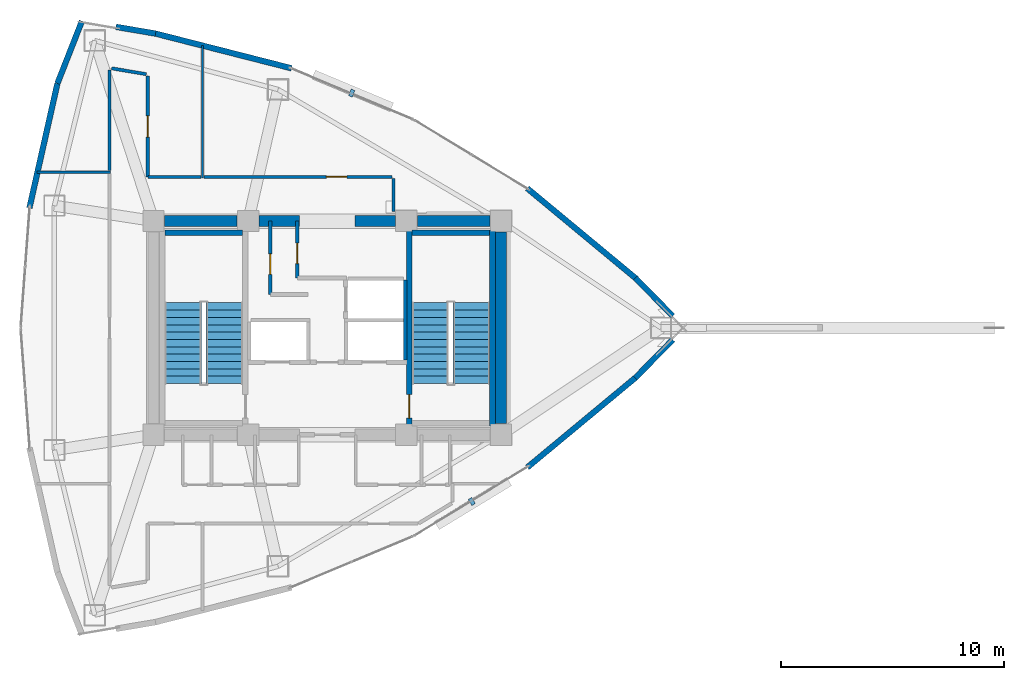
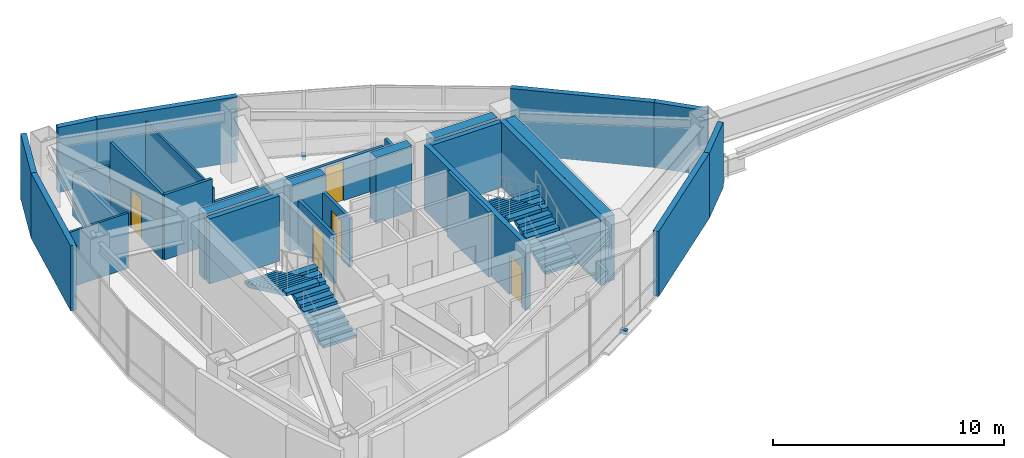
# One storey, part 13 of 15: 28 walls, 5 doors, 4 stair flights, 2 discrete accessories, 5 openings, 2 elements without a shape of their own.
"""IFC4 building model written with IfcOpenShell, lengths in metres."""

from ifc_helpers import new_model, si_unit, direction, frame, frame_2d, origin, origin_2d, place, context, subcontext, project, spatial, polyline, rectangle, outline, extrude, material, layer, layer_set, type_object, element, fill, aggregate, save


model = new_model("IFC4")

# Units and contexts
model_context = context("Model", 3, precision=1e-05, world=origin(), true_north=direction((0.0, 1.0)))
body_context = subcontext(model_context, "Body", "Model", "MODEL_VIEW")
ifc_project = project(units=[si_unit("LENGTHUNIT", "METRE"), si_unit("AREAUNIT", "SQUARE_METRE"), si_unit("VOLUMEUNIT", "CUBIC_METRE"), si_unit("PLANEANGLEUNIT", "RADIAN"), si_unit("MASSUNIT", "GRAM", prefix="KILO")], contexts=[model_context])

# Site, building, storey
site_placement = place(None, origin())
site = spatial("IfcSite", under=ifc_project, at=site_placement, CompositionType="ELEMENT")
building_placement = place(site_placement, origin())
building = spatial("IfcBuilding", under=site, at=building_placement, Name="Menara Vayukalpa", CompositionType="ELEMENT")
storey_placement = place(building_placement, frame((0.0, 0.0, 230.699951171875)))
storey = spatial("IfcBuildingStorey", under=building, at=storey_placement, Name="L58", CompositionType="ELEMENT", Elevation=230.699951171875)

# Walls
ifc_material_1 = material(Name="Concrete C60/75", Category="concrete")
ifc_layer_1 = layer(ifc_material_1, 0.5)
ifc_layer_set_1 = layer_set([ifc_layer_1], Name="Concrete C60/75")
wall_type_1 = type_object("IfcWallType", Name="WAL-CW500", PredefinedType="SHEAR", material=ifc_layer_set_1)
wall_1_placement = place(storey_placement, frame((18.294921875, 26.800048828125, 0.0), z_axis=(0.0, 0.0, 1.0), x_axis=(1.0, 0.0, 0.0)))
element("IfcWall", 1, at=wall_1_placement, inside=storey, type_object=wall_type_1, Name="L58 Buttressed Core Shear Wall CWN1", PredefinedType="SHEAR", context=body_context, shape_type="SweptSolid", body=[
    extrude(rectangle(XDim=3.260009765625, YDim=0.5, at=frame_2d((1.6298828125, 0.0))), origin(), (0.0, 0.0, 1.0), 3.43994140625),
])
wall_2_placement = place(storey_placement, frame((22.544921875, 26.800048828125, 0.0), z_axis=(0.0, 0.0, 1.0), x_axis=(1.0, 0.0, 0.0)))
element("IfcWall", 2, at=wall_2_placement, inside=storey, type_object=wall_type_1, Name="L58 Buttressed Core Shear Wall CWN2", PredefinedType="SHEAR", context=body_context, shape_type="SweptSolid", body=[
    extrude(rectangle(XDim=1.80517578125, YDim=0.5, at=frame_2d((0.902587890625, 0.0))), origin(), (0.0, 0.0, 1.0), 3.43994140625),
])
wall_3_placement = place(storey_placement, frame((26.85009765625, 26.800048828125, 0.0), z_axis=(0.0, 0.0, 1.0), x_axis=(1.0, 0.0, 0.0)))
element("IfcWall", 3, at=wall_3_placement, inside=storey, type_object=wall_type_1, Name="L58 Buttressed Core Shear Wall CWN3", PredefinedType="SHEAR", context=body_context, shape_type="SweptSolid", body=[
    extrude(rectangle(XDim=1.804931640625, YDim=0.5, at=frame_2d((0.90234375, 0.0))), origin(), (0.0, 0.0, 1.0), 3.43994140625),
])
wall_4_placement = place(storey_placement, frame((29.64501953125, 26.800048828125, 0.0), z_axis=(0.0, 0.0, 1.0), x_axis=(1.0, 0.0, 0.0)))
element("IfcWall", 4, at=wall_4_placement, inside=storey, type_object=wall_type_1, Name="L58 Buttressed Core Shear Wall CWN4", PredefinedType="SHEAR", context=body_context, shape_type="SweptSolid", body=[
    extrude(rectangle(XDim=3.260009765625, YDim=0.5, at=frame_2d((1.6298828125, 0.0))), origin(), (0.0, 0.0, 1.0), 3.43994140625),
])
wall_5_placement = place(storey_placement, frame((33.39990234375, 17.695068359375, 0.0), z_axis=(0.0, 0.0, 1.0), x_axis=(0.0, 1.0, 0.0)))
element("IfcWall", 5, at=wall_5_placement, inside=storey, type_object=wall_type_1, Name="L58 Buttressed Core Shear Wall CWE1", PredefinedType="SHEAR", context=body_context, shape_type="SweptSolid", body=[
    extrude(rectangle(XDim=8.60986328125, YDim=0.5, at=frame_2d((4.304931640625, 0.0))), origin(), (0.0, 0.0, 1.0), 3.43994140625),
])
ifc_material_2 = material(Name="Insulated Precast Concrete C40/50", Category="concrete")
ifc_layer_2 = layer(ifc_material_2, 0.260009765625)
ifc_layer_set_2 = layer_set([ifc_layer_2], Name="Insulated Precast Concrete C40/50")
wall_type_2 = type_object("IfcWallType", Name="WAL-EXT260", PredefinedType="PARTITIONING", material=ifc_layer_set_2)
for number, where, z_axis, x_axis, name in (
    (6, (41.11669921875, 21.466552734375, 0.0), (0.0, 0.0, 1.0), (-0.700567481584, -0.7135861572, 0.0), "L58 Perimeter Terracotta Pier Wall 01"),
    (7, (39.43505859375, 24.246337890625, 0.0), (0.0, 0.0, 1.0), (0.700567481584, -0.7135861572, 0.0), "L58 Perimeter Terracotta Pier Wall 02"),
):
    element("IfcWall", number, at=place(storey_placement, frame(where, z_axis=z_axis, x_axis=x_axis)), inside=storey, type_object=wall_type_2, Name=name, PredefinedType="PARTITIONING", context=body_context, shape_type="SweptSolid", body=[
        extrude(rectangle(XDim=2.400390625, YDim=0.260009765625, at=frame_2d((1.2001953125, 0.0))), origin(), (0.0, 0.0, 1.0), 3.43994140625),
    ])
wall_6_placement = place(storey_placement, frame((34.58251953125, 28.26953125, 0.0), z_axis=(0.0, 0.0, 1.0), x_axis=(0.769765373155, -0.638326930571, 0.0)))
element("IfcWall", 8, at=wall_6_placement, inside=storey, type_object=wall_type_2, Name="L58 Perimeter Terracotta Pier Wall 03", PredefinedType="PARTITIONING", context=body_context, shape_type="SweptSolid", body=[
    extrude(rectangle(XDim=6.3154296875, YDim=0.260009765625, at=frame_2d((3.15771484375, 0.0))), origin(), (0.0, 0.0, 1.0), 3.43994140625),
])
wall_7_placement = place(storey_placement, frame((17.8759765625, 35.22216796875, 0.0), z_axis=(0.0, 0.0, 1.0), x_axis=(0.968976240439, -0.247153890246, 0.0)))
element("IfcWall", 9, at=wall_7_placement, inside=storey, type_object=wall_type_2, Name="L58 Perimeter Terracotta Pier Wall 06", PredefinedType="PARTITIONING", context=body_context, shape_type="SweptSolid", body=[
    extrude(rectangle(XDim=6.31494140625, YDim=0.260009765625, at=frame_2d((3.157470703125, 0.0))), origin(), (0.0, 0.0, 1.0), 3.43994140625),
])
wall_8_placement = place(storey_placement, frame((16.10693359375, 35.52197265625, 0.0), z_axis=(0.0, 0.0, 1.0), x_axis=(0.985877723898, -0.167466753484, 0.0)))
element("IfcWall", 10, at=wall_8_placement, inside=storey, type_object=wall_type_2, Name="L58 Perimeter Terracotta Pier Wall 07", PredefinedType="PARTITIONING", context=body_context, shape_type="SweptSolid", body=[
    extrude(rectangle(XDim=1.80615234375, YDim=0.260009765625, at=frame_2d((0.903076171875, 0.0))), origin(), (0.0, 0.0, 1.0), 3.43994140625),
])
wall_9_placement = place(storey_placement, frame((13.47900390625, 32.978515625, 0.0), z_axis=(0.0, 0.0, 1.0), x_axis=(0.365609724313, 0.930768246927, 0.0)))
element("IfcWall", 11, at=wall_9_placement, inside=storey, type_object=wall_type_2, Name="L58 Perimeter Terracotta Pier Wall 08", PredefinedType="PARTITIONING", context=body_context, shape_type="SweptSolid", body=[
    extrude(rectangle(XDim=3.010986328125, YDim=0.260009765625, at=frame_2d((1.50537109375, 0.0))), origin(), (0.0, 0.0, 1.0), 3.43994140625),
])
wall_10_placement = place(storey_placement, frame((12.219970703125, 27.3818359375, 0.0), z_axis=(0.0, 0.0, 1.0), x_axis=(0.219475737697, 0.975617958303, 0.0)))
element("IfcWall", 12, at=wall_10_placement, inside=storey, type_object=wall_type_2, Name="L58 Perimeter Terracotta Pier Wall 09", PredefinedType="PARTITIONING", context=body_context, shape_type="SweptSolid", body=[
    extrude(rectangle(XDim=5.736572265625, YDim=0.260009765625, at=frame_2d((2.8681640625, 0.0))), origin(), (0.0, 0.0, 1.0), 3.43994140625),
])
wall_11_placement = place(storey_placement, frame((39.44384765625, 19.76171875, 0.0), z_axis=(0.0, 0.0, 1.0), x_axis=(-0.769765373155, -0.638326930571, 0.0)))
element("IfcWall", 13, at=wall_11_placement, inside=storey, type_object=wall_type_2, Name="L58 Perimeter Terracotta Pier Wall 18", PredefinedType="PARTITIONING", context=body_context, shape_type="SweptSolid", body=[
    extrude(rectangle(XDim=6.3154296875, YDim=0.260009765625, at=frame_2d((3.15771484375, 0.0))), origin(), (0.0, 0.0, 1.0), 3.43994140625),
])
ifc_material_3 = material(Name="Lightweight Concrete Blockwork C16/20", Category="masonry")
ifc_layer_3 = layer(ifc_material_3, 0.159912109375)
ifc_layer_set_3 = layer_set([ifc_layer_3], Name="Lightweight Concrete Blockwork C16/20")
wall_type_3 = type_object("IfcWallType", Name="WAL-FR150", PredefinedType="PARTITIONING", material=ifc_layer_set_3)
wall_12_placement = place(storey_placement, frame((29.094970703125, 20.56005859375, 0.0), z_axis=(0.0, 0.0, 1.0), x_axis=(0.0, 1.0, 0.0)))
element("IfcWall", 14, at=wall_12_placement, inside=storey, type_object=wall_type_3, Name="L58 Interior Partition IW-L58-SHW-EE", PredefinedType="PARTITIONING", context=body_context, shape_type="SweptSolid", body=[
    extrude(rectangle(XDim=3.579833984375, YDim=0.159912109375, at=frame_2d((1.7900390625, 0.0))), origin(), (0.0, 0.0, 1.0), 3.43994140625),
])

# Wall, opening, door
wall_13_placement = place(storey_placement, frame((23.0400390625, 23.5, 0.0), z_axis=(0.0, 0.0, 1.0), x_axis=(0.0, 1.0, 0.0)))
wall_13 = element("IfcWall", 15, at=wall_13_placement, inside=storey, type_object=wall_type_3, Name="L58 Interior Partition IW-L58-LV7WB", PredefinedType="PARTITIONING", context=body_context, shape_type="SweptSolid", body=[
    extrude(rectangle(XDim=3.300048828125, YDim=0.159912109375, at=frame_2d((1.64990234375, 0.0))), origin(), (0.0, 0.0, 1.0), 2.570068359375),
])
opening_1_placement = place(wall_13_placement, frame((0.89990234375, 0.0, 0.0)))
opening_1 = element("IfcOpeningElement", 16, at=opening_1_placement, cuts=wall_13, Name="Opening ID6", PredefinedType="OPENING", context=body_context, shape_type="SweptSolid", body=[
    extrude(rectangle(XDim=0.919921875, YDim=2.050048828125, at=frame_2d((0.4599609375, 1.02490234375))), frame((0.0, 0.08984375, 0.0), z_axis=(0.0, -1.0, 0.0), x_axis=(1.0, 0.0, 0.0)), (0.0, 0.0, 1.0), 0.179931640625),
])
ifc_material_4 = material(Name="Acoustic Hardwood Veneer Timber Door", Category="wood")
door_type_1 = type_object("IfcDoorType", Name="DR-INT92", OperationType="NOTDEFINED", PredefinedType="DOOR", material=ifc_material_4)
door_1_placement = place(opening_1_placement, origin())
door_1 = element("IfcDoor", 17, at=door_1_placement, inside=storey, type_object=door_type_1, Name="L58 Interior Door DR-L58-LV7W", OperationType="SINGLE_SWING_LEFT", OverallHeight=2.050048828125, OverallWidth=0.919921875, PredefinedType="DOOR", context=body_context, shape_type="SweptSolid", body=[
    extrude(rectangle(XDim=0.919921875, YDim=2.050048828125, at=frame_2d((0.4599609375, 1.02490234375))), frame((0.0, 0.02490234375, 0.0), z_axis=(0.0, -1.0, 0.0), x_axis=(1.0, 0.0, 0.0)), (0.0, 0.0, 1.0), 0.050048828125),
])
fill(opening_1, door_1)

wall_14_placement = place(storey_placement, frame((24.260009765625, 24.239990234375, 0.0), z_axis=(0.0, 0.0, 1.0), x_axis=(0.0, 1.0, 0.0)))
wall_14 = element("IfcWall", 18, at=wall_14_placement, inside=storey, type_object=wall_type_3, Name="L58 Interior Partition IW-L58-LV7EB", PredefinedType="PARTITIONING", context=body_context, shape_type="SweptSolid", body=[
    extrude(rectangle(XDim=2.56005859375, YDim=0.159912109375, at=frame_2d((1.280029296875, 0.0))), origin(), (0.0, 0.0, 1.0), 2.570068359375),
])
opening_2_placement = place(wall_14_placement, frame((0.64990234375, 0.0, 0.0)))
opening_2 = element("IfcOpeningElement", 19, at=opening_2_placement, cuts=wall_14, Name="Opening ID6", PredefinedType="OPENING", context=body_context, shape_type="SweptSolid", body=[
    extrude(rectangle(XDim=0.919921875, YDim=2.050048828125, at=frame_2d((0.4599609375, 1.02490234375))), frame((0.0, 0.08984375, 0.0), z_axis=(0.0, -1.0, 0.0), x_axis=(1.0, 0.0, 0.0)), (0.0, 0.0, 1.0), 0.179931640625),
])
door_2_placement = place(opening_2_placement, origin())
door_2 = element("IfcDoor", 20, at=door_2_placement, inside=storey, type_object=door_type_1, Name="L58 Interior Door DR-L58-LV7E", OperationType="SINGLE_SWING_RIGHT", OverallHeight=2.050048828125, OverallWidth=0.919921875, PredefinedType="DOOR", context=body_context, shape_type="SweptSolid", body=[
    extrude(rectangle(XDim=0.919921875, YDim=2.050048828125, at=frame_2d((0.4599609375, 1.02490234375))), frame((0.0, 0.02490234375, 0.0), z_axis=(0.0, -1.0, 0.0), x_axis=(1.0, 0.0, 0.0)), (0.0, 0.0, 1.0), 0.050048828125),
])
fill(opening_2, door_2)

# Walls
ifc_material_5 = material(Name="Glazed Demountable Office Partition", Category="glass")
ifc_layer_4 = layer(ifc_material_5, 0.094970703125)
ifc_layer_set_4 = layer_set([ifc_layer_4], Name="Glazed Demountable Office Partition")
wall_type_4 = type_object("IfcWallType", Name="WAL-PT100", PredefinedType="PARTITIONING", material=ifc_layer_set_4)
wall_15_placement = place(storey_placement, frame((20.0, 28.72998046875, 0.0), z_axis=(0.0, 0.0, 1.0), x_axis=(0.0, 1.0, 0.0)))
element("IfcWall", 21, at=wall_15_placement, inside=storey, type_object=wall_type_4, Name="L58 Interior Partition IW-L58-RDIV02", PredefinedType="PARTITIONING", context=body_context, shape_type="SweptSolid", body=[
    extrude(rectangle(XDim=5.960693359375, YDim=0.094970703125, at=frame_2d((2.98046875, 0.0))), origin(), (0.0, 0.0, 1.0), 2.920166015625),
])
ifc_material_6 = material(Name="Acoustic Mineral Stud Partition", Category="masonry")
ifc_layer_5 = layer(ifc_material_6, 0.110107421875)
ifc_layer_set_5 = layer_set([ifc_layer_5], Name="Acoustic Mineral Stud Partition")
wall_type_5 = type_object("IfcWallType", Name="WAL-PT110", PredefinedType="PARTITIONING", material=ifc_layer_set_5)
wall_16_placement = place(storey_placement, frame((12.57373046875, 29.0, 0.0), z_axis=(0.0, 0.0, 1.0), x_axis=(1.0, 0.0, 0.0)))
element("IfcWall", 22, at=wall_16_placement, inside=storey, type_object=wall_type_5, Name="L58 Interior Partition IW-L58-RDIV05", PredefinedType="PARTITIONING", context=body_context, shape_type="SweptSolid", body=[
    extrude(rectangle(XDim=3.29638671875, YDim=0.110107421875, at=frame_2d((1.648193359375, 0.0))), origin(), (0.0, 0.0, 1.0), 2.920166015625),
])
ifc_material_7 = material(Name="Gypsum Drywall Acoustic Stud Assembly", Category="masonry")
ifc_layer_6 = layer(ifc_material_7, 0.14501953125)
ifc_layer_set_6 = layer_set([ifc_layer_6], Name="Gypsum Drywall Acoustic Stud Assembly")
wall_type_6 = type_object("IfcWallType", Name="WAL-PT150", PredefinedType="PARTITIONING", material=ifc_layer_set_6)
wall_17_placement = place(storey_placement, frame((28.580078125, 27.219970703125, 0.0), z_axis=(0.0, 0.0, 1.0), x_axis=(0.0, 1.0, 0.0)))
element("IfcWall", 23, at=wall_17_placement, inside=storey, type_object=wall_type_6, Name="L58 Interior Partition IW-L58-CRM04-1", PredefinedType="PARTITIONING", context=body_context, shape_type="SweptSolid", body=[
    extrude(rectangle(XDim=1.47998046875, YDim=0.14501953125, at=frame_2d((0.739990234375, 0.0))), origin(), (0.0, 0.0, 1.0), 2.570068359375),
])

# Wall, opening, door
wall_18_placement = place(storey_placement, frame((28.5, 28.780029296875, 0.0), z_axis=(0.0, 0.0, 1.0), x_axis=(-1.0, 0.0, 0.0)))
wall_18 = element("IfcWall", 24, at=wall_18_placement, inside=storey, type_object=wall_type_6, Name="L58 Interior Partition IW-L58-CRM04-2", PredefinedType="PARTITIONING", context=body_context, shape_type="SweptSolid", body=[
    extrude(rectangle(XDim=8.429931640625, YDim=0.14501953125, at=frame_2d((4.21484375, 0.0))), origin(), (0.0, 0.0, 1.0), 2.170166015625),
])
opening_3_placement = place(wall_18_placement, frame((2.017578125, 0.0, 0.0)))
opening_3 = element("IfcOpeningElement", 25, at=opening_3_placement, cuts=wall_18, Name="Opening ID6", PredefinedType="OPENING", context=body_context, shape_type="SweptSolid", body=[
    extrude(rectangle(XDim=0.919921875, YDim=2.050048828125, at=frame_2d((0.4599609375, 1.02490234375))), frame((0.0, 0.08251953125, 0.0), z_axis=(0.0, -1.0, 0.0), x_axis=(1.0, 0.0, 0.0)), (0.0, 0.0, 1.0), 0.1650390625),
])
door_3_placement = place(opening_3_placement, origin())
door_3 = element("IfcDoor", 26, at=door_3_placement, inside=storey, type_object=door_type_1, Name="L58 Interior Door DR-L58-RM04", OperationType="SINGLE_SWING_RIGHT", OverallHeight=2.050048828125, OverallWidth=0.919921875, PredefinedType="DOOR", context=body_context, shape_type="SweptSolid", body=[
    extrude(rectangle(XDim=0.919921875, YDim=2.050048828125, at=frame_2d((0.4599609375, 1.02490234375))), frame((0.0, 0.02490234375, 0.0), z_axis=(0.0, -1.0, 0.0), x_axis=(1.0, 0.0, 0.0)), (0.0, 0.0, 1.0), 0.050048828125),
])
fill(opening_3, door_3)

# Wall
wall_19_placement = place(storey_placement, frame((19.929931640625, 28.780029296875, 0.0), z_axis=(0.0, 0.0, 1.0), x_axis=(-1.0, 0.0, 0.0)))
element("IfcWall", 27, at=wall_19_placement, inside=storey, type_object=wall_type_6, Name="L58 Interior Partition IW-L58-CRM05-1", PredefinedType="PARTITIONING", context=body_context, shape_type="SweptSolid", body=[
    extrude(rectangle(XDim=2.389892578125, YDim=0.14501953125, at=frame_2d((1.19482421875, 0.0))), origin(), (0.0, 0.0, 1.0), 3.43994140625),
])

# Wall, opening, door
wall_20_placement = place(storey_placement, frame((17.5400390625, 28.780029296875, 0.0), z_axis=(0.0, 0.0, 1.0), x_axis=(0.0, 1.0, 0.0)))
wall_20 = element("IfcWall", 28, at=wall_20_placement, inside=storey, type_object=wall_type_6, Name="L58 Interior Partition IW-L58-CRM05-2", PredefinedType="PARTITIONING", context=body_context, shape_type="SweptSolid", body=[
    extrude(rectangle(XDim=4.5341796875, YDim=0.14501953125, at=frame_2d((2.26708984375, 0.0))), origin(), (0.0, 0.0, 1.0), 3.43994140625),
])
opening_4_placement = place(wall_20_placement, frame((1.792236328125, 0.0, 0.0)))
opening_4 = element("IfcOpeningElement", 29, at=opening_4_placement, cuts=wall_20, Name="Opening ID5", PredefinedType="OPENING", context=body_context, shape_type="SweptSolid", body=[
    extrude(rectangle(XDim=0.949951171875, YDim=2.06005859375, at=frame_2d((0.47509765625, 1.030029296875))), frame((0.0, 0.08251953125, 0.0), z_axis=(0.0, -1.0, 0.0), x_axis=(1.0, 0.0, 0.0)), (0.0, 0.0, 1.0), 0.1650390625),
])
ifc_material_8 = material(Name="Acoustic Hardwood Veneer Timber Door", Category="wood")
door_type_2 = type_object("IfcDoorType", Name="DR-INT95", OperationType="NOTDEFINED", PredefinedType="DOOR", material=ifc_material_8)
door_4_placement = place(opening_4_placement, origin())
door_4 = element("IfcDoor", 30, at=door_4_placement, inside=storey, type_object=door_type_2, Name="L58 Interior Door DR-L58-RM05", OperationType="SINGLE_SWING_LEFT", OverallHeight=2.06005859375, OverallWidth=0.949951171875, PredefinedType="DOOR", context=body_context, shape_type="SweptSolid", body=[
    extrude(rectangle(XDim=0.949951171875, YDim=2.06005859375, at=frame_2d((0.47509765625, 1.030029296875))), frame((0.0, 0.02490234375, 0.0), z_axis=(0.0, -1.0, 0.0), x_axis=(1.0, 0.0, 0.0)), (0.0, 0.0, 1.0), 0.050048828125),
])
fill(opening_4, door_4)

# Walls
wall_21_placement = place(storey_placement, frame((17.473388671875, 33.393310546875, 0.0), z_axis=(0.0, 0.0, 1.0), x_axis=(-0.985914419316, 0.167250583809, 0.0)))
element("IfcWall", 31, at=wall_21_placement, inside=storey, type_object=wall_type_6, Name="L58 Interior Partition IW-L58-CRM05-3", PredefinedType="PARTITIONING", context=body_context, shape_type="SweptSolid", body=[
    extrude(rectangle(XDim=1.582275390625, YDim=0.14501953125, at=frame_2d((0.791015625, 0.0))), origin(), (0.0, 0.0, 1.0), 2.170166015625),
])
wall_22_placement = place(storey_placement, frame((15.820068359375, 33.5791015625, 0.0), z_axis=(0.0, 0.0, 1.0), x_axis=(0.0, -1.0, 0.0)))
element("IfcWall", 32, at=wall_22_placement, inside=storey, type_object=wall_type_6, Name="L58 Interior Partition IW-L58-CRM05-4", PredefinedType="PARTITIONING", context=body_context, shape_type="SweptSolid", body=[
    extrude(rectangle(XDim=4.509033203125, YDim=0.14501953125, at=frame_2d((2.25439453125, 0.0))), origin(), (0.0, 0.0, 1.0), 2.170166015625),
])
ifc_material_9 = material(Name="Concrete C50/60", Category="concrete")
ifc_layer_7 = layer(ifc_material_9, 0.25)
ifc_layer_set_7 = layer_set([ifc_layer_7], Name="Concrete C50/60")
wall_type_7 = type_object("IfcWallType", Name="WAL-SW250", PredefinedType="SHEAR", material=ifc_layer_set_7)
wall_23_placement = place(storey_placement, frame((18.303955078125, 26.27490234375, 0.0), z_axis=(0.0, 0.0, 1.0), x_axis=(1.0, 0.0, 0.0)))
element("IfcWall", 33, at=wall_23_placement, inside=storey, type_object=wall_type_7, Name="L58 ST1 Structural Stair Shaft Wall N", PredefinedType="SHEAR", context=body_context, shape_type="SweptSolid", body=[
    extrude(rectangle(XDim=3.49609375, YDim=0.25, at=frame_2d((1.748046875, 0.0))), origin(), (0.0, 0.0, 1.0), 3.43994140625),
])

# Wall, opening, door
wall_24_placement = place(storey_placement, frame((29.27490234375, 17.60009765625, 0.0), z_axis=(0.0, 0.0, 1.0), x_axis=(0.0, 1.0, 0.0)))
wall_24 = element("IfcWall", 34, at=wall_24_placement, inside=storey, type_object=wall_type_7, Name="L58 ST2 Structural Stair Shaft Wall W", PredefinedType="SHEAR", context=body_context, shape_type="SweptSolid", body=[
    extrude(rectangle(XDim=8.7998046875, YDim=0.25, at=frame_2d((4.39990234375, 0.0))), origin(), (0.0, 0.0, 1.0), 3.43994140625),
])
opening_5_placement = place(wall_24_placement, frame((0.35009765625, 0.0, 0.0)))
opening_5 = element("IfcOpeningElement", 35, at=opening_5_placement, cuts=wall_24, Name="Opening ID1", PredefinedType="OPENING", context=body_context, shape_type="SweptSolid", body=[
    extrude(rectangle(XDim=1.050048828125, YDim=2.080078125, at=frame_2d((0.52490234375, 1.0400390625))), frame((0.0, 0.135009765625, 0.0), z_axis=(0.0, -1.0, 0.0), x_axis=(1.0, 0.0, 0.0)), (0.0, 0.0, 1.0), 0.27001953125),
])
ifc_material_10 = material(Name="Fire-Rated Powder-Coated Steel Door", Category="steel")
door_type_3 = type_object("IfcDoorType", Name="DR-FD120", OperationType="NOTDEFINED", PredefinedType="DOOR", material=ifc_material_10)
door_5_placement = place(opening_5_placement, origin())
door_5 = element("IfcDoor", 36, at=door_5_placement, inside=storey, type_object=door_type_3, Name="L58 Stair Exit Door DR-L58-ST2", OperationType="SINGLE_SWING_RIGHT", OverallHeight=2.080078125, OverallWidth=1.050048828125, PredefinedType="DOOR", context=body_context, shape_type="SweptSolid", body=[
    extrude(rectangle(XDim=1.050048828125, YDim=2.080078125, at=frame_2d((0.52490234375, 1.0400390625))), frame((0.0, 0.02490234375, 0.0), z_axis=(0.0, -1.0, 0.0), x_axis=(1.0, 0.0, 0.0)), (0.0, 0.0, 1.0), 0.050048828125),
])
fill(opening_5, door_5)

# Walls
wall_25_placement = place(storey_placement, frame((33.02099609375, 17.60009765625, 0.0), z_axis=(0.0, 0.0, 1.0), x_axis=(0.0, 1.0, 0.0)))
element("IfcWall", 37, at=wall_25_placement, inside=storey, type_object=wall_type_7, Name="L58 ST2 Structural Stair Shaft Wall E", PredefinedType="SHEAR", context=body_context, shape_type="SweptSolid", body=[
    extrude(rectangle(XDim=8.7998046875, YDim=0.25, at=frame_2d((4.39990234375, 0.0))), origin(), (0.0, 0.0, 1.0), 3.43994140625),
])
wall_26_placement = place(storey_placement, frame((29.39990234375, 26.27490234375, 0.0), z_axis=(0.0, 0.0, 1.0), x_axis=(1.0, 0.0, 0.0)))
element("IfcWall", 38, at=wall_26_placement, inside=storey, type_object=wall_type_7, Name="L58 ST2 Structural Stair Shaft Wall N", PredefinedType="SHEAR", context=body_context, shape_type="SweptSolid", body=[
    extrude(rectangle(XDim=3.49609375, YDim=0.25, at=frame_2d((1.748046875, 0.0))), origin(), (0.0, 0.0, 1.0), 3.43994140625),
])

# Stair, stair flights
ifc_material_11 = material(Name="Precast Concrete C40/50", Category="concrete")
stair_type = type_object("IfcStairType", Name="STR-T04", PredefinedType="DOUBLE_RETURN_STAIR", material=ifc_material_11)
stair_1_placement = place(storey_placement, origin())
stair_1 = element("IfcStair", 39, at=stair_1_placement, inside=storey, type_object=stair_type, Name="L58 Core Exit Stair ST-1", PredefinedType="DOUBLE_RETURN_STAIR")
ifc_material_12 = material(Name="Precast Concrete C40/50", Category="concrete")
stair_flight_type = type_object("IfcStairFlightType", Name="STF-T04", PredefinedType="STRAIGHT", material=ifc_material_12)
stair_flight_1_placement = place(storey_placement, frame((20.97509765625, 19.5, 0.0), z_axis=(0.0, 0.0, 1.0), x_axis=(0.0, 1.0, 0.0)))
stair_flight_1 = element("IfcStairFlight", 40, at=stair_flight_1_placement, type_object=stair_flight_type, Name="ST-1 flight 1", NumberOfRisers=12, NumberOfTreads=11, PredefinedType="STRAIGHT", RiserHeight=0.155, TreadLength=0.33, context=body_context, shape_type="SweptSolid", body=[
    extrude(outline(polyline([(0.0, 0.0), (0.0, 0.155029296875), (0.330078125, 0.155029296875), (0.330078125, 0.31005859375), (0.659912109375, 0.31005859375), (0.659912109375, 0.465087890625), (0.989990234375, 0.465087890625), (0.989990234375, 0.6201171875), (1.320068359375, 0.6201171875), (1.320068359375, 0.77490234375), (1.64990234375, 0.77490234375), (1.64990234375, 0.929931640625), (1.97998046875, 0.929931640625), (1.97998046875, 1.0849609375), (2.31005859375, 1.0849609375), (2.31005859375, 1.239990234375), (2.639892578125, 1.239990234375), (2.639892578125, 1.39501953125), (2.969970703125, 1.39501953125), (2.969970703125, 1.550048828125), (3.300048828125, 1.550048828125), (3.300048828125, 1.705078125), (3.6298828125, 1.705078125), (3.6298828125, 1.860107421875), (3.6298828125, 1.539306640625), (0.3525390625, 0.0), (0.0, 0.0)])), frame((0.0, 0.824951171875, 0.0), z_axis=(0.0, -1.0, 0.0), x_axis=(1.0, 0.0, 0.0)), (0.0, 0.0, 1.0), 1.64990234375),
])
stair_flight_2_placement = place(storey_placement, frame((19.125, 23.1298828125, 1.860107421875), z_axis=(0.0, 0.0, 1.0), x_axis=(0.0, -1.0, 0.0)))
stair_flight_2 = element("IfcStairFlight", 41, at=stair_flight_2_placement, type_object=stair_flight_type, Name="ST-1 flight 2", NumberOfRisers=12, NumberOfTreads=11, PredefinedType="STRAIGHT", RiserHeight=0.155, TreadLength=0.33, context=body_context, shape_type="SweptSolid", body=[
    extrude(outline(polyline([(0.0, 0.0), (0.0, 0.155029296875), (0.330078125, 0.155029296875), (0.330078125, 0.31005859375), (0.659912109375, 0.31005859375), (0.659912109375, 0.465087890625), (0.989990234375, 0.465087890625), (0.989990234375, 0.6201171875), (1.320068359375, 0.6201171875), (1.320068359375, 0.77490234375), (1.64990234375, 0.77490234375), (1.64990234375, 0.929931640625), (1.97998046875, 0.929931640625), (1.97998046875, 1.0849609375), (2.31005859375, 1.0849609375), (2.31005859375, 1.239990234375), (2.639892578125, 1.239990234375), (2.639892578125, 1.39501953125), (2.969970703125, 1.39501953125), (2.969970703125, 1.550048828125), (3.300048828125, 1.550048828125), (3.300048828125, 1.705078125), (3.6298828125, 1.705078125), (3.6298828125, 1.860107421875), (3.6298828125, 1.539306640625), (0.3525390625, 0.0), (0.0, 0.0)])), frame((0.0, 0.824951171875, 0.0), z_axis=(0.0, -1.0, 0.0), x_axis=(1.0, 0.0, 0.0)), (0.0, 0.0, 1.0), 1.64990234375),
])
aggregate(stair_1, [stair_flight_1, stair_flight_2])

stair_2_placement = place(storey_placement, origin())
stair_2 = element("IfcStair", 42, at=stair_2_placement, inside=storey, type_object=stair_type, Name="L58 Core Exit Stair ST-2", PredefinedType="DOUBLE_RETURN_STAIR")
stair_flight_3_placement = place(storey_placement, frame((32.074951171875, 19.5, 0.0), z_axis=(0.0, 0.0, 1.0), x_axis=(0.0, 1.0, 0.0)))
stair_flight_3 = element("IfcStairFlight", 43, at=stair_flight_3_placement, type_object=stair_flight_type, Name="ST-2 flight 1", NumberOfRisers=12, NumberOfTreads=11, PredefinedType="STRAIGHT", RiserHeight=0.155, TreadLength=0.33, context=body_context, shape_type="SweptSolid", body=[
    extrude(outline(polyline([(0.0, 0.0), (0.0, 0.155029296875), (0.330078125, 0.155029296875), (0.330078125, 0.31005859375), (0.659912109375, 0.31005859375), (0.659912109375, 0.465087890625), (0.989990234375, 0.465087890625), (0.989990234375, 0.6201171875), (1.320068359375, 0.6201171875), (1.320068359375, 0.77490234375), (1.64990234375, 0.77490234375), (1.64990234375, 0.929931640625), (1.97998046875, 0.929931640625), (1.97998046875, 1.0849609375), (2.31005859375, 1.0849609375), (2.31005859375, 1.239990234375), (2.639892578125, 1.239990234375), (2.639892578125, 1.39501953125), (2.969970703125, 1.39501953125), (2.969970703125, 1.550048828125), (3.300048828125, 1.550048828125), (3.300048828125, 1.705078125), (3.6298828125, 1.705078125), (3.6298828125, 1.860107421875), (3.6298828125, 1.539306640625), (0.3525390625, 0.0), (0.0, 0.0)])), frame((0.0, 0.824951171875, 0.0), z_axis=(0.0, -1.0, 0.0), x_axis=(1.0, 0.0, 0.0)), (0.0, 0.0, 1.0), 1.64990234375),
])
stair_flight_4_placement = place(storey_placement, frame((30.22509765625, 23.1298828125, 1.860107421875), z_axis=(0.0, 0.0, 1.0), x_axis=(0.0, -1.0, 0.0)))
stair_flight_4 = element("IfcStairFlight", 44, at=stair_flight_4_placement, type_object=stair_flight_type, Name="ST-2 flight 2", NumberOfRisers=12, NumberOfTreads=11, PredefinedType="STRAIGHT", RiserHeight=0.155, TreadLength=0.33, context=body_context, shape_type="SweptSolid", body=[
    extrude(outline(polyline([(0.0, 0.0), (0.0, 0.155029296875), (0.330078125, 0.155029296875), (0.330078125, 0.31005859375), (0.659912109375, 0.31005859375), (0.659912109375, 0.465087890625), (0.989990234375, 0.465087890625), (0.989990234375, 0.6201171875), (1.320068359375, 0.6201171875), (1.320068359375, 0.77490234375), (1.64990234375, 0.77490234375), (1.64990234375, 0.929931640625), (1.97998046875, 0.929931640625), (1.97998046875, 1.0849609375), (2.31005859375, 1.0849609375), (2.31005859375, 1.239990234375), (2.639892578125, 1.239990234375), (2.639892578125, 1.39501953125), (2.969970703125, 1.39501953125), (2.969970703125, 1.550048828125), (3.300048828125, 1.550048828125), (3.300048828125, 1.705078125), (3.6298828125, 1.705078125), (3.6298828125, 1.860107421875), (3.6298828125, 1.539306640625), (0.3525390625, 0.0), (0.0, 0.0)])), frame((0.0, 0.824951171875, 0.0), z_axis=(0.0, -1.0, 0.0), x_axis=(1.0, 0.0, 0.0)), (0.0, 0.0, 1.0), 1.64990234375),
])
aggregate(stair_2, [stair_flight_3, stair_flight_4])

# Discrete accessories
ifc_material_13 = material(Name="Stainless Steel 316 Sunshade Bracket", Category="steel")
discrete_accessory_type = type_object("IfcDiscreteAccessoryType", Name="ACC-BRK1", PredefinedType="BRACKET", material=ifc_material_13)
for number, where, z_axis, x_axis, name in (
    (45, (26.69775390625, 32.5458984375, -0.16015625), (0.0, 0.0, 1.0), (-0.922538089456, 0.385906042324, 0.0), "L58 Terracotta Sunshade Bracket 05"),
    (46, (32.091064453125, 14.20068359375, -0.16015625), (0.0, 0.0, 1.0), (0.85466730962, 0.519176068272, 0.0), "L58 Terracotta Sunshade Bracket 17"),
):
    element("IfcDiscreteAccessory", number, at=place(storey_placement, frame(where, z_axis=z_axis, x_axis=x_axis)), inside=storey, type_object=discrete_accessory_type, Name=name, PredefinedType="BRACKET", context=body_context, shape_type="SweptSolid", body=[
        extrude(rectangle(XDim=0.179931640625, YDim=0.320068359375, at=origin_2d()), origin(), (0.0, 0.0, 1.0), 0.219970703125),
    ])

save(model, "model.ifc")
